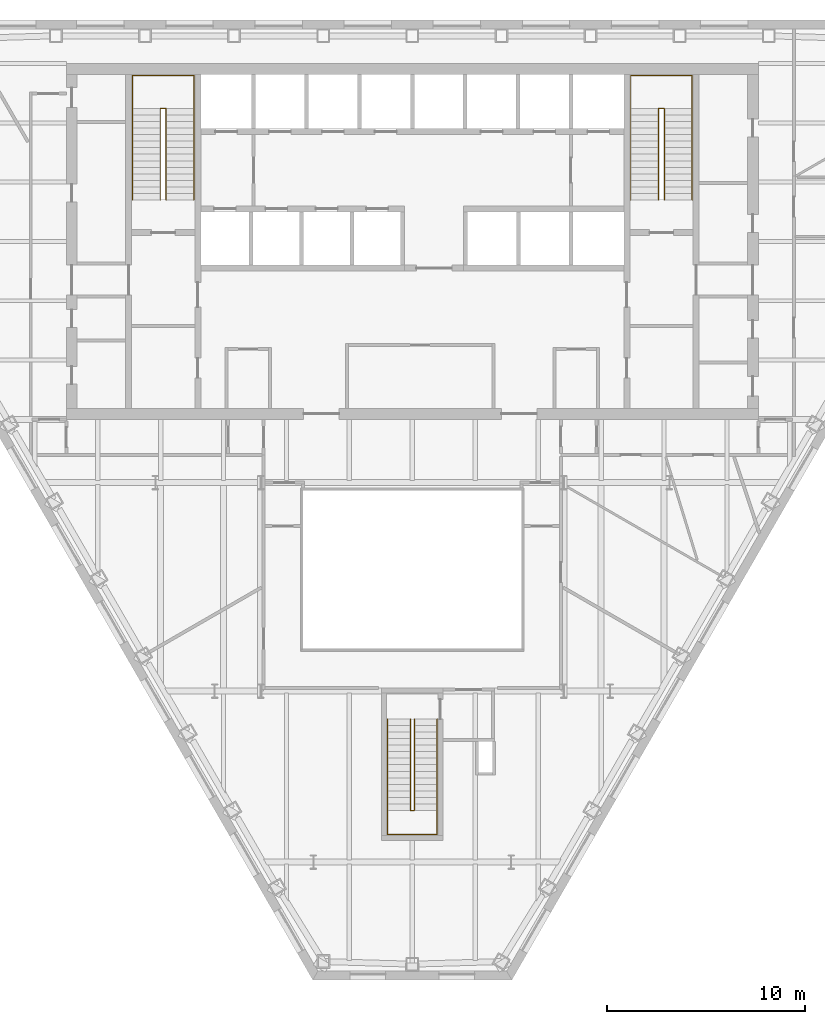
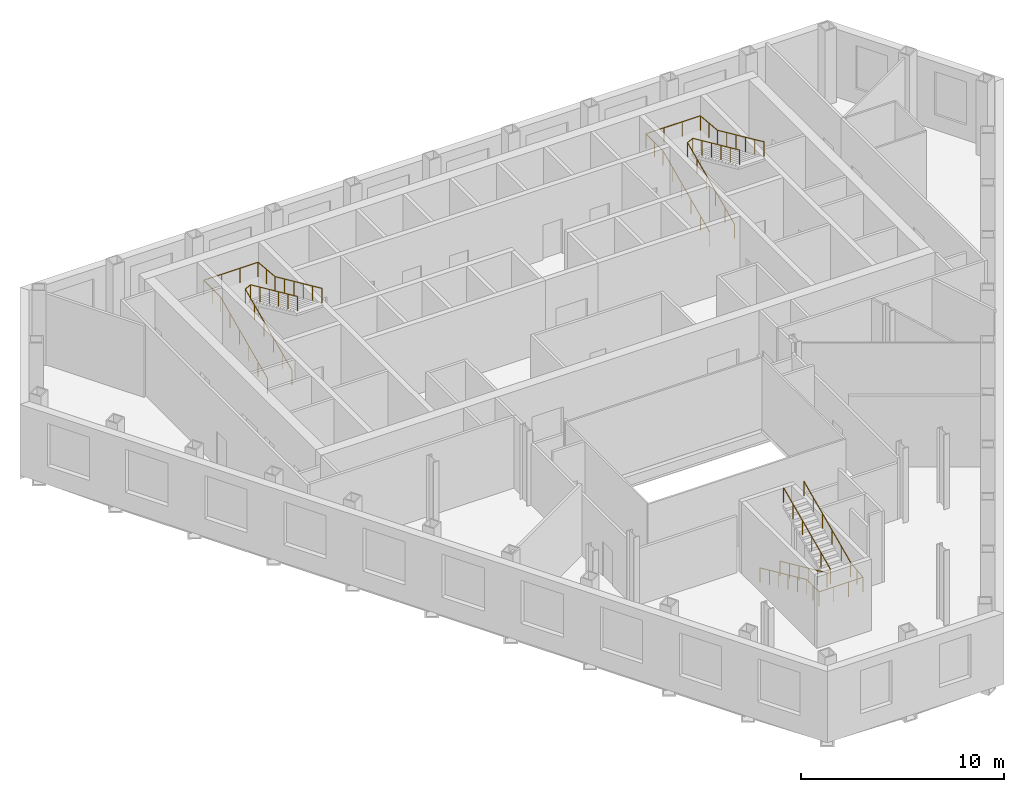
# One storey, part 11 of 11: 6 railings.
"""IFC4 building model written with IfcOpenShell, lengths in metres."""

from ifc_helpers import new_model, si_unit, direction, frame, origin, origin_2d, place, context, subcontext, project, spatial, circle, extrude, material, type_object, element, save


model = new_model("IFC4")

# Units and contexts
model_context = context("Model", 3, precision=1e-05, world=origin(), true_north=direction((0.0, 1.0)))
body_context = subcontext(model_context, "Body", "Model", "MODEL_VIEW")
ifc_project = project(units=[si_unit("LENGTHUNIT", "METRE"), si_unit("AREAUNIT", "SQUARE_METRE"), si_unit("VOLUMEUNIT", "CUBIC_METRE"), si_unit("PLANEANGLEUNIT", "RADIAN"), si_unit("MASSUNIT", "GRAM", prefix="KILO")], contexts=[model_context])

# Site, building, storey
site_placement = place(None, origin())
site = spatial("IfcSite", under=ifc_project, at=site_placement, CompositionType="ELEMENT")
building_placement = place(site_placement, origin())
building = spatial("IfcBuilding", under=site, at=building_placement, Name="Njiva Tower", CompositionType="ELEMENT")
storey_placement = place(building_placement, frame((0.0, 0.0, 97.8)))
storey = spatial("IfcBuildingStorey", under=building, at=storey_placement, Name="L20", CompositionType="ELEMENT", Elevation=97.8)

# Railings
ifc_material = material(Name="Stainless steel", Category="steel")
railing_type = type_object("IfcRailingType", Name="RL1 Stair handrail 900", PredefinedType="HANDRAIL", material=ifc_material)
railing_1_placement = place(storey_placement, frame((-14.15, 11.1, 0.15)))
element("IfcRailing", 1, at=railing_1_placement, inside=storey, type_object=railing_type, Name="Stair A handrail", PredefinedType="HANDRAIL", context=body_context, shape_type="SweptSolid", body=[
    extrude(circle(Radius=0.024, at=origin_2d()), frame((0.0, 0.0, 0.876), z_axis=(0.0, 0.910366477463, 0.413802944301), x_axis=(-1.0, 0.0, 0.0)), (0.0, 0.0, 1.0), 5.0749),
    extrude(circle(Radius=0.024, at=origin_2d()), frame((0.0, 4.62, 2.976), z_axis=(0.0, 1.0, 0.0), x_axis=(-1.0, 0.0, 0.0)), (0.0, 0.0, 1.0), 1.68),
    extrude(circle(Radius=0.024, at=origin_2d()), frame((0.0, 6.3, 2.976), z_axis=(1.0, 0.0, 0.0), x_axis=(0.0, 1.0, 0.0)), (0.0, 0.0, 1.0), 3.1),
    extrude(circle(Radius=0.024, at=origin_2d()), frame((3.1, 6.3, 2.976), z_axis=(0.0, -0.996037705314, 0.088931937975), x_axis=(1.0, 0.0, 0.0)), (0.0, 0.0, 1.0), 1.6867),
    extrude(circle(Radius=0.024, at=origin_2d()), frame((3.1, 4.62, 3.126), z_axis=(0.0, -0.910366477463, 0.413802944301), x_axis=(1.0, 0.0, 0.0)), (0.0, 0.0, 1.0), 5.0749),
    extrude(circle(Radius=0.021, at=origin_2d()), origin(), (0.0, 0.0, 1.0), 0.852),
    extrude(circle(Radius=0.021, at=origin_2d()), frame((0.0, 0.924, 0.42)), (0.0, 0.0, 1.0), 0.852),
    extrude(circle(Radius=0.021, at=origin_2d()), frame((0.0, 1.848, 0.84)), (0.0, 0.0, 1.0), 0.852),
    extrude(circle(Radius=0.021, at=origin_2d()), frame((0.0, 2.772, 1.26)), (0.0, 0.0, 1.0), 0.852),
    extrude(circle(Radius=0.021, at=origin_2d()), frame((0.0, 3.696, 1.68)), (0.0, 0.0, 1.0), 0.852),
    extrude(circle(Radius=0.021, at=origin_2d()), frame((0.0, 4.62, 2.1)), (0.0, 0.0, 1.0), 0.852),
    extrude(circle(Radius=0.021, at=origin_2d()), frame((0.0, 5.46, 2.1)), (0.0, 0.0, 1.0), 0.852),
    extrude(circle(Radius=0.021, at=origin_2d()), frame((0.0, 6.3, 2.1)), (0.0, 0.0, 1.0), 0.852),
    extrude(circle(Radius=0.021, at=origin_2d()), frame((1.0333, 6.3, 2.1)), (0.0, 0.0, 1.0), 0.852),
    extrude(circle(Radius=0.021, at=origin_2d()), frame((2.0667, 6.3, 2.1)), (0.0, 0.0, 1.0), 0.852),
    extrude(circle(Radius=0.021, at=origin_2d()), frame((3.1, 6.3, 2.1)), (0.0, 0.0, 1.0), 0.852),
    extrude(circle(Radius=0.021, at=origin_2d()), frame((3.1, 5.46, 2.175)), (0.0, 0.0, 1.0), 0.852),
    extrude(circle(Radius=0.021, at=origin_2d()), frame((3.1, 4.62, 2.25)), (0.0, 0.0, 1.0), 0.852),
    extrude(circle(Radius=0.021, at=origin_2d()), frame((3.1, 3.696, 2.67)), (0.0, 0.0, 1.0), 0.852),
    extrude(circle(Radius=0.021, at=origin_2d()), frame((3.1, 2.772, 3.09)), (0.0, 0.0, 1.0), 0.852),
    extrude(circle(Radius=0.021, at=origin_2d()), frame((3.1, 1.848, 3.51)), (0.0, 0.0, 1.0), 0.852),
    extrude(circle(Radius=0.021, at=origin_2d()), frame((3.1, 0.924, 3.93)), (0.0, 0.0, 1.0), 0.852),
    extrude(circle(Radius=0.021, at=origin_2d()), frame((3.1, 0.0, 4.35)), (0.0, 0.0, 1.0), 0.852),
])
railing_2_placement = place(storey_placement, frame((-12.75, 11.1, 0.15)))
element("IfcRailing", 2, at=railing_2_placement, inside=storey, type_object=railing_type, Name="Stair A handrail", PredefinedType="HANDRAIL", context=body_context, shape_type="SweptSolid", body=[
    extrude(circle(Radius=0.024, at=origin_2d()), frame((0.0, 0.0, 0.876), z_axis=(0.0, 0.910366477463, 0.413802944301), x_axis=(-1.0, 0.0, 0.0)), (0.0, 0.0, 1.0), 5.0749),
    extrude(circle(Radius=0.024, at=origin_2d()), frame((0.0, 4.62, 2.976), z_axis=(0.894427191, 0.0, 0.4472135955), x_axis=(0.0, 1.0, 0.0)), (0.0, 0.0, 1.0), 0.3354),
    extrude(circle(Radius=0.024, at=origin_2d()), frame((0.3, 4.62, 3.126), z_axis=(0.0, -0.910366477463, 0.413802944301), x_axis=(1.0, 0.0, 0.0)), (0.0, 0.0, 1.0), 5.0749),
    extrude(circle(Radius=0.021, at=origin_2d()), origin(), (0.0, 0.0, 1.0), 0.852),
    extrude(circle(Radius=0.021, at=origin_2d()), frame((0.0, 0.924, 0.42)), (0.0, 0.0, 1.0), 0.852),
    extrude(circle(Radius=0.021, at=origin_2d()), frame((0.0, 1.848, 0.84)), (0.0, 0.0, 1.0), 0.852),
    extrude(circle(Radius=0.021, at=origin_2d()), frame((0.0, 2.772, 1.26)), (0.0, 0.0, 1.0), 0.852),
    extrude(circle(Radius=0.021, at=origin_2d()), frame((0.0, 3.696, 1.68)), (0.0, 0.0, 1.0), 0.852),
    extrude(circle(Radius=0.021, at=origin_2d()), frame((0.0, 4.62, 2.1)), (0.0, 0.0, 1.0), 0.852),
    extrude(circle(Radius=0.021, at=origin_2d()), frame((0.3, 4.62, 2.25)), (0.0, 0.0, 1.0), 0.852),
    extrude(circle(Radius=0.021, at=origin_2d()), frame((0.3, 3.696, 2.67)), (0.0, 0.0, 1.0), 0.852),
    extrude(circle(Radius=0.021, at=origin_2d()), frame((0.3, 2.772, 3.09)), (0.0, 0.0, 1.0), 0.852),
    extrude(circle(Radius=0.021, at=origin_2d()), frame((0.3, 1.848, 3.51)), (0.0, 0.0, 1.0), 0.852),
    extrude(circle(Radius=0.021, at=origin_2d()), frame((0.3, 0.924, 3.93)), (0.0, 0.0, 1.0), 0.852),
    extrude(circle(Radius=0.021, at=origin_2d()), frame((0.3, 0.0, 4.35)), (0.0, 0.0, 1.0), 0.852),
])
railing_3_placement = place(storey_placement, frame((11.05, 11.1, 0.15)))
element("IfcRailing", 3, at=railing_3_placement, inside=storey, type_object=railing_type, Name="Stair B handrail", PredefinedType="HANDRAIL", context=body_context, shape_type="SweptSolid", body=[
    extrude(circle(Radius=0.024, at=origin_2d()), frame((0.0, 0.0, 0.876), z_axis=(0.0, 0.910366477463, 0.413802944301), x_axis=(-1.0, 0.0, 0.0)), (0.0, 0.0, 1.0), 5.0749),
    extrude(circle(Radius=0.024, at=origin_2d()), frame((0.0, 4.62, 2.976), z_axis=(0.0, 1.0, 0.0), x_axis=(-1.0, 0.0, 0.0)), (0.0, 0.0, 1.0), 1.68),
    extrude(circle(Radius=0.024, at=origin_2d()), frame((0.0, 6.3, 2.976), z_axis=(1.0, 0.0, 0.0), x_axis=(0.0, 1.0, 0.0)), (0.0, 0.0, 1.0), 3.1),
    extrude(circle(Radius=0.024, at=origin_2d()), frame((3.1, 6.3, 2.976), z_axis=(0.0, -0.996037705314, 0.088931937975), x_axis=(1.0, 0.0, 0.0)), (0.0, 0.0, 1.0), 1.6867),
    extrude(circle(Radius=0.024, at=origin_2d()), frame((3.1, 4.62, 3.126), z_axis=(0.0, -0.910366477463, 0.413802944301), x_axis=(1.0, 0.0, 0.0)), (0.0, 0.0, 1.0), 5.0749),
    extrude(circle(Radius=0.021, at=origin_2d()), origin(), (0.0, 0.0, 1.0), 0.852),
    extrude(circle(Radius=0.021, at=origin_2d()), frame((0.0, 0.924, 0.42)), (0.0, 0.0, 1.0), 0.852),
    extrude(circle(Radius=0.021, at=origin_2d()), frame((0.0, 1.848, 0.84)), (0.0, 0.0, 1.0), 0.852),
    extrude(circle(Radius=0.021, at=origin_2d()), frame((0.0, 2.772, 1.26)), (0.0, 0.0, 1.0), 0.852),
    extrude(circle(Radius=0.021, at=origin_2d()), frame((0.0, 3.696, 1.68)), (0.0, 0.0, 1.0), 0.852),
    extrude(circle(Radius=0.021, at=origin_2d()), frame((0.0, 4.62, 2.1)), (0.0, 0.0, 1.0), 0.852),
    extrude(circle(Radius=0.021, at=origin_2d()), frame((0.0, 5.46, 2.1)), (0.0, 0.0, 1.0), 0.852),
    extrude(circle(Radius=0.021, at=origin_2d()), frame((0.0, 6.3, 2.1)), (0.0, 0.0, 1.0), 0.852),
    extrude(circle(Radius=0.021, at=origin_2d()), frame((1.0333, 6.3, 2.1)), (0.0, 0.0, 1.0), 0.852),
    extrude(circle(Radius=0.021, at=origin_2d()), frame((2.0667, 6.3, 2.1)), (0.0, 0.0, 1.0), 0.852),
    extrude(circle(Radius=0.021, at=origin_2d()), frame((3.1, 6.3, 2.1)), (0.0, 0.0, 1.0), 0.852),
    extrude(circle(Radius=0.021, at=origin_2d()), frame((3.1, 5.46, 2.175)), (0.0, 0.0, 1.0), 0.852),
    extrude(circle(Radius=0.021, at=origin_2d()), frame((3.1, 4.62, 2.25)), (0.0, 0.0, 1.0), 0.852),
    extrude(circle(Radius=0.021, at=origin_2d()), frame((3.1, 3.696, 2.67)), (0.0, 0.0, 1.0), 0.852),
    extrude(circle(Radius=0.021, at=origin_2d()), frame((3.1, 2.772, 3.09)), (0.0, 0.0, 1.0), 0.852),
    extrude(circle(Radius=0.021, at=origin_2d()), frame((3.1, 1.848, 3.51)), (0.0, 0.0, 1.0), 0.852),
    extrude(circle(Radius=0.021, at=origin_2d()), frame((3.1, 0.924, 3.93)), (0.0, 0.0, 1.0), 0.852),
    extrude(circle(Radius=0.021, at=origin_2d()), frame((3.1, 0.0, 4.35)), (0.0, 0.0, 1.0), 0.852),
])
railing_4_placement = place(storey_placement, frame((12.45, 11.1, 0.15)))
element("IfcRailing", 4, at=railing_4_placement, inside=storey, type_object=railing_type, Name="Stair B handrail", PredefinedType="HANDRAIL", context=body_context, shape_type="SweptSolid", body=[
    extrude(circle(Radius=0.024, at=origin_2d()), frame((0.0, 0.0, 0.876), z_axis=(0.0, 0.910366477463, 0.413802944301), x_axis=(-1.0, 0.0, 0.0)), (0.0, 0.0, 1.0), 5.0749),
    extrude(circle(Radius=0.024, at=origin_2d()), frame((0.0, 4.62, 2.976), z_axis=(0.894427191, 0.0, 0.4472135955), x_axis=(0.0, 1.0, 0.0)), (0.0, 0.0, 1.0), 0.3354),
    extrude(circle(Radius=0.024, at=origin_2d()), frame((0.3, 4.62, 3.126), z_axis=(0.0, -0.910366477463, 0.413802944301), x_axis=(1.0, 0.0, 0.0)), (0.0, 0.0, 1.0), 5.0749),
    extrude(circle(Radius=0.021, at=origin_2d()), origin(), (0.0, 0.0, 1.0), 0.852),
    extrude(circle(Radius=0.021, at=origin_2d()), frame((0.0, 0.924, 0.42)), (0.0, 0.0, 1.0), 0.852),
    extrude(circle(Radius=0.021, at=origin_2d()), frame((0.0, 1.848, 0.84)), (0.0, 0.0, 1.0), 0.852),
    extrude(circle(Radius=0.021, at=origin_2d()), frame((0.0, 2.772, 1.26)), (0.0, 0.0, 1.0), 0.852),
    extrude(circle(Radius=0.021, at=origin_2d()), frame((0.0, 3.696, 1.68)), (0.0, 0.0, 1.0), 0.852),
    extrude(circle(Radius=0.021, at=origin_2d()), frame((0.0, 4.62, 2.1)), (0.0, 0.0, 1.0), 0.852),
    extrude(circle(Radius=0.021, at=origin_2d()), frame((0.3, 4.62, 2.25)), (0.0, 0.0, 1.0), 0.852),
    extrude(circle(Radius=0.021, at=origin_2d()), frame((0.3, 3.696, 2.67)), (0.0, 0.0, 1.0), 0.852),
    extrude(circle(Radius=0.021, at=origin_2d()), frame((0.3, 2.772, 3.09)), (0.0, 0.0, 1.0), 0.852),
    extrude(circle(Radius=0.021, at=origin_2d()), frame((0.3, 1.848, 3.51)), (0.0, 0.0, 1.0), 0.852),
    extrude(circle(Radius=0.021, at=origin_2d()), frame((0.3, 0.924, 3.93)), (0.0, 0.0, 1.0), 0.852),
    extrude(circle(Radius=0.021, at=origin_2d()), frame((0.3, 0.0, 4.35)), (0.0, 0.0, 1.0), 0.852),
])
railing_5_placement = place(storey_placement, frame((-1.25, -15.16, 0.15)))
element("IfcRailing", 5, at=railing_5_placement, inside=storey, type_object=railing_type, Name="Stair C handrail", PredefinedType="HANDRAIL", context=body_context, shape_type="SweptSolid", body=[
    extrude(circle(Radius=0.024, at=origin_2d()), frame((0.0, 0.0, 0.876), z_axis=(0.0, -0.910366477463, 0.413802944301), x_axis=(1.0, 0.0, 0.0)), (0.0, 0.0, 1.0), 5.0749),
    extrude(circle(Radius=0.024, at=origin_2d()), frame((0.0, -4.62, 2.976), z_axis=(0.0, -1.0, 0.0), x_axis=(1.0, 0.0, 0.0)), (0.0, 0.0, 1.0), 1.22),
    extrude(circle(Radius=0.024, at=origin_2d()), frame((0.0, -5.84, 2.976), z_axis=(1.0, 0.0, 0.0), x_axis=(0.0, 1.0, 0.0)), (0.0, 0.0, 1.0), 2.5),
    extrude(circle(Radius=0.024, at=origin_2d()), frame((2.5, -5.84, 2.976), z_axis=(0.0, 0.992526177815, 0.122031907108), x_axis=(-1.0, 0.0, 0.0)), (0.0, 0.0, 1.0), 1.2292),
    extrude(circle(Radius=0.024, at=origin_2d()), frame((2.5, -4.62, 3.126), z_axis=(0.0, 0.910366477463, 0.413802944301), x_axis=(-1.0, 0.0, 0.0)), (0.0, 0.0, 1.0), 5.0749),
    extrude(circle(Radius=0.021, at=origin_2d()), origin(), (0.0, 0.0, 1.0), 0.852),
    extrude(circle(Radius=0.021, at=origin_2d()), frame((0.0, -0.924, 0.42)), (0.0, 0.0, 1.0), 0.852),
    extrude(circle(Radius=0.021, at=origin_2d()), frame((0.0, -1.848, 0.84)), (0.0, 0.0, 1.0), 0.852),
    extrude(circle(Radius=0.021, at=origin_2d()), frame((0.0, -2.772, 1.26)), (0.0, 0.0, 1.0), 0.852),
    extrude(circle(Radius=0.021, at=origin_2d()), frame((0.0, -3.696, 1.68)), (0.0, 0.0, 1.0), 0.852),
    extrude(circle(Radius=0.021, at=origin_2d()), frame((0.0, -4.62, 2.1)), (0.0, 0.0, 1.0), 0.852),
    extrude(circle(Radius=0.021, at=origin_2d()), frame((0.0, -5.23, 2.1)), (0.0, 0.0, 1.0), 0.852),
    extrude(circle(Radius=0.021, at=origin_2d()), frame((0.0, -5.84, 2.1)), (0.0, 0.0, 1.0), 0.852),
    extrude(circle(Radius=0.021, at=origin_2d()), frame((0.8333, -5.84, 2.1)), (0.0, 0.0, 1.0), 0.852),
    extrude(circle(Radius=0.021, at=origin_2d()), frame((1.6667, -5.84, 2.1)), (0.0, 0.0, 1.0), 0.852),
    extrude(circle(Radius=0.021, at=origin_2d()), frame((2.5, -5.84, 2.1)), (0.0, 0.0, 1.0), 0.852),
    extrude(circle(Radius=0.021, at=origin_2d()), frame((2.5, -5.23, 2.175)), (0.0, 0.0, 1.0), 0.852),
    extrude(circle(Radius=0.021, at=origin_2d()), frame((2.5, -4.62, 2.25)), (0.0, 0.0, 1.0), 0.852),
    extrude(circle(Radius=0.021, at=origin_2d()), frame((2.5, -3.696, 2.67)), (0.0, 0.0, 1.0), 0.852),
    extrude(circle(Radius=0.021, at=origin_2d()), frame((2.5, -2.772, 3.09)), (0.0, 0.0, 1.0), 0.852),
    extrude(circle(Radius=0.021, at=origin_2d()), frame((2.5, -1.848, 3.51)), (0.0, 0.0, 1.0), 0.852),
    extrude(circle(Radius=0.021, at=origin_2d()), frame((2.5, -0.924, 3.93)), (0.0, 0.0, 1.0), 0.852),
    extrude(circle(Radius=0.021, at=origin_2d()), frame((2.5, 0.0, 4.35)), (0.0, 0.0, 1.0), 0.852),
])
railing_6_placement = place(storey_placement, frame((-0.1, -15.16, 0.15)))
element("IfcRailing", 6, at=railing_6_placement, inside=storey, type_object=railing_type, Name="Stair C handrail", PredefinedType="HANDRAIL", context=body_context, shape_type="SweptSolid", body=[
    extrude(circle(Radius=0.024, at=origin_2d()), frame((0.0, 0.0, 0.876), z_axis=(0.0, -0.910366477463, 0.413802944301), x_axis=(1.0, 0.0, 0.0)), (0.0, 0.0, 1.0), 5.0749),
    extrude(circle(Radius=0.024, at=origin_2d()), frame((0.0, -4.62, 2.976), z_axis=(0.8, 0.0, 0.6), x_axis=(0.0, 1.0, 0.0)), (0.0, 0.0, 1.0), 0.25),
    extrude(circle(Radius=0.024, at=origin_2d()), frame((0.2, -4.62, 3.126), z_axis=(0.0, 0.910366477463, 0.413802944301), x_axis=(-1.0, 0.0, 0.0)), (0.0, 0.0, 1.0), 5.0749),
    extrude(circle(Radius=0.021, at=origin_2d()), origin(), (0.0, 0.0, 1.0), 0.852),
    extrude(circle(Radius=0.021, at=origin_2d()), frame((0.0, -0.924, 0.42)), (0.0, 0.0, 1.0), 0.852),
    extrude(circle(Radius=0.021, at=origin_2d()), frame((0.0, -1.848, 0.84)), (0.0, 0.0, 1.0), 0.852),
    extrude(circle(Radius=0.021, at=origin_2d()), frame((0.0, -2.772, 1.26)), (0.0, 0.0, 1.0), 0.852),
    extrude(circle(Radius=0.021, at=origin_2d()), frame((0.0, -3.696, 1.68)), (0.0, 0.0, 1.0), 0.852),
    extrude(circle(Radius=0.021, at=origin_2d()), frame((0.0, -4.62, 2.1)), (0.0, 0.0, 1.0), 0.852),
    extrude(circle(Radius=0.021, at=origin_2d()), frame((0.2, -4.62, 2.25)), (0.0, 0.0, 1.0), 0.852),
    extrude(circle(Radius=0.021, at=origin_2d()), frame((0.2, -3.696, 2.67)), (0.0, 0.0, 1.0), 0.852),
    extrude(circle(Radius=0.021, at=origin_2d()), frame((0.2, -2.772, 3.09)), (0.0, 0.0, 1.0), 0.852),
    extrude(circle(Radius=0.021, at=origin_2d()), frame((0.2, -1.848, 3.51)), (0.0, 0.0, 1.0), 0.852),
    extrude(circle(Radius=0.021, at=origin_2d()), frame((0.2, -0.924, 3.93)), (0.0, 0.0, 1.0), 0.852),
    extrude(circle(Radius=0.021, at=origin_2d()), frame((0.2, 0.0, 4.35)), (0.0, 0.0, 1.0), 0.852),
])

save(model, "model.ifc")
